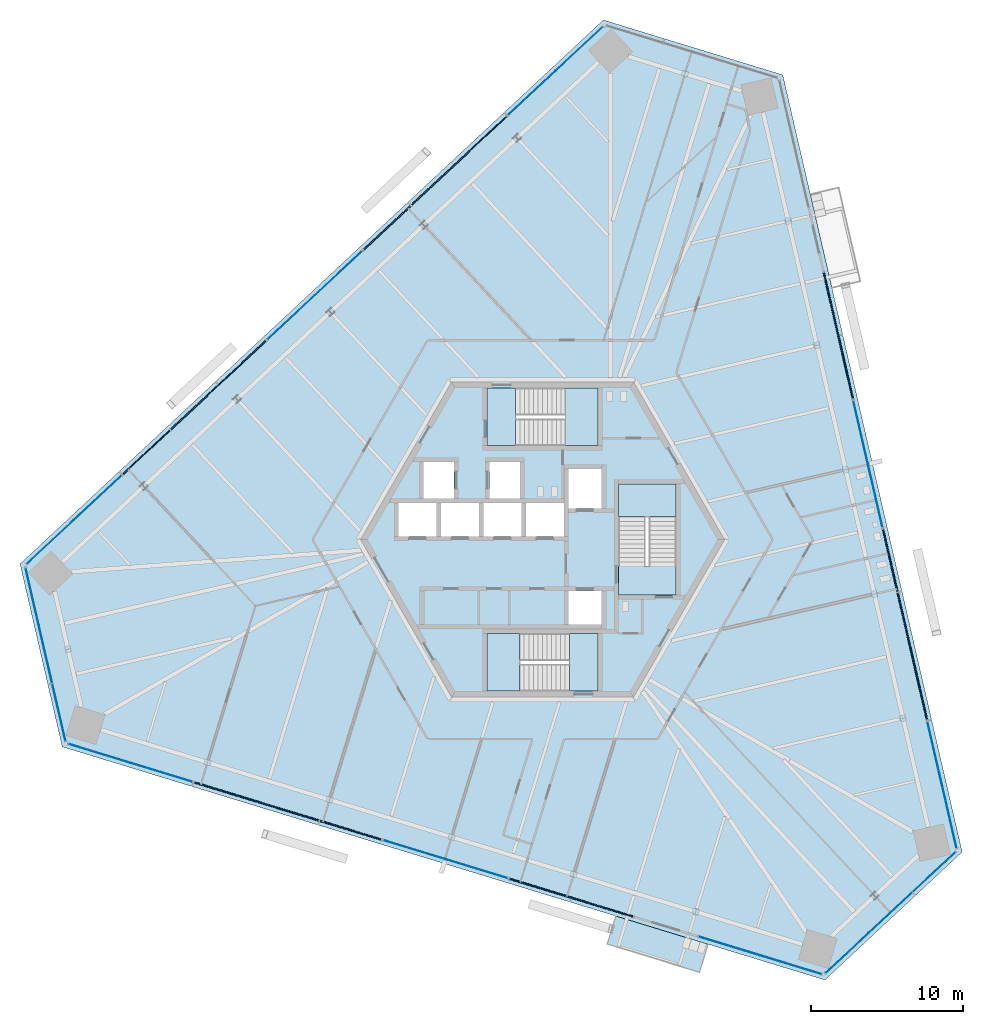
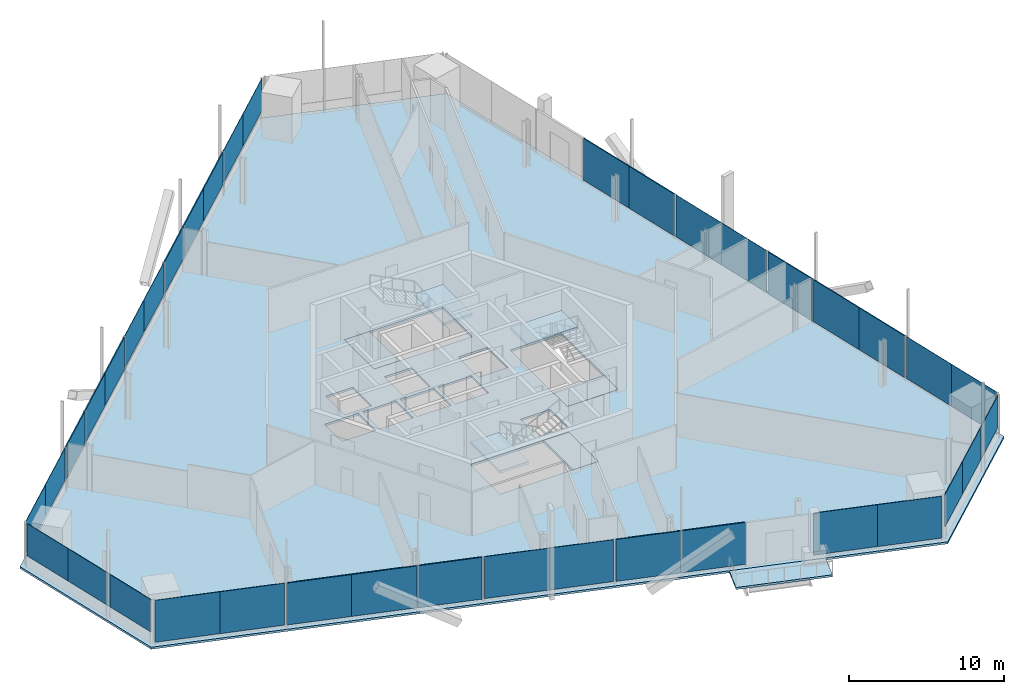
# One storey, part 10 of 21: 38 plates, 8 slabs, 19 elements without a shape of their own.
"""IFC4 building model written with IfcOpenShell, lengths in metres."""

import ifcopenshell
import ifcopenshell.guid

model = None  # the IFC model being written
_history = None  # IfcOwnerHistory: only IFC2X3 demands one
_inside = {}  # id of a spatial element -> (the spatial element, [elements in it])
_under = {}  # id of a project, library or spatial element -> (it, [spatial elements below it])
_declared = {}  # id of a project -> (the project, [libraries it declares])
_typed = {}  # id of a type object -> (the type object, [elements of that type])
_made_of = {}  # id of a material, layer set ... -> (it, [elements and type objects made of it])


def new_model(schema):
    """Start an empty IFC model of exactly this schema.

    Asked for "IFC4X3", IfcOpenShell would pick the latest addendum, in which some entities
    have other attributes; the version numbers below select the first issue.
    IFC2X3 requires an IfcOwnerHistory on every rooted entity: one is made here for all.
    """
    global model, _history
    if schema == "IFC4X3":
        model = ifcopenshell.file(schema_version=(4, 3, 0, 0))
    else:
        model = ifcopenshell.file(schema=schema)
    _inside.clear()
    _under.clear()
    _declared.clear()
    _typed.clear()
    _made_of.clear()
    _history = None
    if model.schema == "IFC2X3":
        org = make("IfcOrganization", Name="unknown")
        user = make(
            "IfcPersonAndOrganization",
            ThePerson=make("IfcPerson", FamilyName="unknown"),
            TheOrganization=org,
        )
        app = make(
            "IfcApplication",
            ApplicationDeveloper=org,
            Version="unknown",
            ApplicationFullName="unknown",
            ApplicationIdentifier="unknown",
        )
        _history = make(
            "IfcOwnerHistory",
            OwningUser=user,
            OwningApplication=app,
            ChangeAction="ADDED",
            CreationDate=0,
        )
    return model


def make(cls, **values):
    """One entity of the class cls with the attributes given. An attribute that is None is left unset."""
    return model.create_entity(
        cls, **{name: value for name, value in values.items() if value is not None}
    )


def rooted(cls, **values):
    """An entity with a GlobalId (a new one), such as an element, a storey or a relation."""
    return make(cls, GlobalId=ifcopenshell.guid.new(), OwnerHistory=_history, **values)


def si_unit(unit_type, name, prefix=None):
    """IfcSIUnit, for example si_unit("LENGTHUNIT", "METRE", prefix="MILLI")."""
    return make("IfcSIUnit", UnitType=unit_type, Prefix=prefix, Name=name)


def assignment(units):
    """IfcUnitAssignment: the units of a project."""
    return None if units is None else make("IfcUnitAssignment", Units=units)


def point(xyz):
    """IfcCartesianPoint."""
    return None if xyz is None else make("IfcCartesianPoint", Coordinates=xyz)


def direction(xyz):
    """IfcDirection."""
    return None if xyz is None else make("IfcDirection", DirectionRatios=xyz)


def frame(location, z_axis=None, x_axis=None):
    """IfcAxis2Placement3D, a coordinate frame: its origin and axes. An axis left out is left unset."""
    return make(
        "IfcAxis2Placement3D",
        Location=point(location),
        Axis=direction(z_axis),
        RefDirection=direction(x_axis),
    )


def frame_2d(location, x_axis=None):
    """IfcAxis2Placement2D, a coordinate frame in the plane: its origin and x axis."""
    return make(
        "IfcAxis2Placement2D", Location=point(location), RefDirection=direction(x_axis)
    )


def origin():
    """The frame at (0, 0, 0) with its axes left unset."""
    return frame((0.0, 0.0, 0.0))


def origin_2d():
    """The frame at (0, 0) in the plane with its x axis left unset."""
    return frame_2d((0.0, 0.0))


def place(relative_to, where):
    """IfcLocalPlacement: puts the frame where relative to a parent placement (None: the world)."""
    return make(
        "IfcLocalPlacement", PlacementRelTo=relative_to, RelativePlacement=where
    )


def context(
    kind, dimensions, precision=None, world=None, true_north=None, identifier=None
):
    """IfcGeometricRepresentationContext, for example the 3D "Model" context."""
    return make(
        "IfcGeometricRepresentationContext",
        ContextIdentifier=identifier,
        ContextType=kind,
        CoordinateSpaceDimension=dimensions,
        Precision=precision,
        WorldCoordinateSystem=world,
        TrueNorth=true_north,
    )


def subcontext(parent, identifier, kind, view, scale=None):
    """IfcGeometricRepresentationSubContext, for example "Body" below "Model"."""
    return make(
        "IfcGeometricRepresentationSubContext",
        ContextIdentifier=identifier,
        ContextType=kind,
        ParentContext=parent,
        TargetScale=scale,
        TargetView=view,
    )


def project(units=None, contexts=None):
    """IfcProject with its units and contexts."""
    return rooted(
        "IfcProject",
        Name="project",
        RepresentationContexts=contexts,
        UnitsInContext=assignment(units),
    )


def spatial(cls, under=None, at=None, **own):
    """A site, building, storey or space (cls), placed at a placement, below another one or the project."""
    s = rooted(cls, ObjectPlacement=at, **own)
    if under is not None:
        _under.setdefault(under.id(), (under, []))[1].append(s)
    return s


def polyline(points):
    """IfcPolyline through the points."""
    return make("IfcPolyline", Points=[point(p) for p in points])


def profile(cls, at=None, kind="AREA", **sizes):
    """A parametric profile (cls). Its sizes go by their IFC names, for example OverallWidth=200.0."""
    return make(cls, ProfileType=kind, Position=at, **sizes)


def rectangle(**sizes):
    """IfcRectangleProfileDef."""
    return profile("IfcRectangleProfileDef", **sizes)


def outline(outer, holes=None, kind="AREA"):
    """IfcArbitraryClosedProfileDef: a profile drawn as a closed curve; with holes, ...WithVoids."""
    if holes is None:
        return make("IfcArbitraryClosedProfileDef", ProfileType=kind, OuterCurve=outer)
    return make(
        "IfcArbitraryProfileDefWithVoids",
        ProfileType=kind,
        OuterCurve=outer,
        InnerCurves=holes,
    )


def extrude(swept, where, along, depth):
    """IfcExtrudedAreaSolid: the profile swept, set in the frame where, extruded along a direction by depth."""
    return make(
        "IfcExtrudedAreaSolid",
        SweptArea=swept,
        Position=where,
        ExtrudedDirection=direction(along),
        Depth=depth,
    )


def shape(context_of_items, identifier, shape_type, items):
    """IfcShapeRepresentation: the items that make up one representation, for example the "Body"."""
    return make(
        "IfcShapeRepresentation",
        ContextOfItems=context_of_items,
        RepresentationIdentifier=identifier,
        RepresentationType=shape_type,
        Items=items,
    )


def source(mapping_origin, context_of_items, identifier, shape_type, items):
    """IfcRepresentationMap: a shape defined once, which mapped items show again and again."""
    return make(
        "IfcRepresentationMap",
        MappingOrigin=mapping_origin,
        MappedRepresentation=shape(context_of_items, identifier, shape_type, items),
    )


def transform(
    local_origin,
    x_axis=None,
    y_axis=None,
    z_axis=None,
    scale=None,
    scale2=None,
    scale3=None,
    uniform=True,
):
    """IfcCartesianTransformationOperator3D, or its non-uniform kind. x_axis, y_axis, z_axis: its Axis1, 2, 3."""
    if uniform:
        return make(
            "IfcCartesianTransformationOperator3D",
            Axis1=direction(x_axis),
            Axis2=direction(y_axis),
            LocalOrigin=point(local_origin),
            Scale=scale,
            Axis3=direction(z_axis),
        )
    return make(
        "IfcCartesianTransformationOperator3DnonUniform",
        Axis1=direction(x_axis),
        Axis2=direction(y_axis),
        LocalOrigin=point(local_origin),
        Scale=scale,
        Axis3=direction(z_axis),
        Scale2=scale2,
        Scale3=scale3,
    )


def mapped(mapping_source, mapping_target):
    """IfcMappedItem: shows the shape of a source again, moved by a transform."""
    return make(
        "IfcMappedItem", MappingSource=mapping_source, MappingTarget=mapping_target
    )


def material(Name=None, Category=None):
    """IfcMaterial."""
    return make("IfcMaterial", Name=Name, Category=Category)


def layer(
    of_material, thickness, ventilated=None, Name=None, Category=None, Priority=None
):
    """IfcMaterialLayer: one layer of a wall or slab, of a material (None: an air gap)."""
    return make(
        "IfcMaterialLayer",
        Material=of_material,
        LayerThickness=thickness,
        IsVentilated=ventilated,
        Name=Name,
        Category=Category,
        Priority=Priority,
    )


def layer_set(layers, Name=None):
    """IfcMaterialLayerSet."""
    return make("IfcMaterialLayerSet", MaterialLayers=layers, LayerSetName=Name)


def made_of(thing, what):
    """Note that an element or type object is made of a material, layer set ...; save() writes the relation."""
    if what is not None:
        _made_of.setdefault(what.id(), (what, []))[1].append(thing)
    return thing


def type_object(cls, material=None, **own):
    """A type object (cls), such as IfcWallType, which elements share."""
    return made_of(rooted(cls, **own), material)


def element(
    cls,
    number,
    at=None,
    inside=None,
    cuts=None,
    type_object=None,
    material=None,
    context=None,
    identifier="Body",
    shape_type=None,
    held_by="IfcProductDefinitionShape",
    body=None,
    shapes=None,
    **own,
):
    """One element of the class cls, such as IfcWall. Its Tag is "e" and its number.

    at: its placement. inside: the storey or other place that contains it. cuts: it is an
    opening in that element (IfcRelVoidsElement). A single representation is given by context,
    identifier, shape_type and body (its items); several are given by shapes. held_by: the class
    of the entity that holds the representations. save() writes the other relations.
    """
    e = rooted(cls, Tag="e%d" % number, ObjectPlacement=at, **own)
    if body is not None:
        shapes = [shape(context, identifier, shape_type, body)]
    if shapes is not None:
        e.Representation = make(held_by, Representations=shapes)
    if inside is not None:
        _inside.setdefault(inside.id(), (inside, []))[1].append(e)
    if cuts is not None:
        rooted(
            "IfcRelVoidsElement", RelatingBuildingElement=cuts, RelatedOpeningElement=e
        )
    if type_object is not None:
        _typed.setdefault(type_object.id(), (type_object, []))[1].append(e)
    return made_of(e, material)


def aggregate(whole, parts):
    """IfcRelAggregates: a whole, such as a stair, and the parts it consists of."""
    return rooted("IfcRelAggregates", RelatingObject=whole, RelatedObjects=parts)


def save(model, path):
    """Write the relations noted so far, then the file.

    IfcRelAggregates (storeys below a building ...), IfcRelContainedInSpatialStructure (elements
    in a storey), IfcRelDefinesByType, IfcRelAssociatesMaterial and IfcRelDeclares: one each for
    every whole, place, type object, material and project.
    """
    for whole, parts in _under.values():
        aggregate(whole, parts)
    for where, things in _inside.values():
        rooted(
            "IfcRelContainedInSpatialStructure",
            RelatedElements=things,
            RelatingStructure=where,
        )
    for kind, things in _typed.values():
        rooted("IfcRelDefinesByType", RelatedObjects=things, RelatingType=kind)
    for what, things in _made_of.values():
        rooted("IfcRelAssociatesMaterial", RelatedObjects=things, RelatingMaterial=what)
    for by, libraries in _declared.values():
        rooted("IfcRelDeclares", RelatingContext=by, RelatedDefinitions=libraries)
    model.write(path)


model = new_model("IFC4")

# Units and contexts
model_context = context("Model", 3, precision=1e-05, world=origin(), true_north=direction((0.0, 1.0)))
body_context = subcontext(model_context, "Body", "Model", "MODEL_VIEW")
ifc_project = project(units=[si_unit("LENGTHUNIT", "METRE"), si_unit("AREAUNIT", "SQUARE_METRE"), si_unit("VOLUMEUNIT", "CUBIC_METRE"), si_unit("PLANEANGLEUNIT", "RADIAN"), si_unit("MASSUNIT", "GRAM", prefix="KILO")], contexts=[model_context])

# Site, building, storey
site_placement = place(None, origin())
site = spatial("IfcSite", under=ifc_project, at=site_placement, CompositionType="ELEMENT")
building_placement = place(site_placement, origin())
building = spatial("IfcBuilding", under=site, at=building_placement, Name="Triune Harvest Tower", CompositionType="ELEMENT")
storey_placement = place(building_placement, frame((0.0, 0.0, 119.89990234375)))
storey = spatial("IfcBuildingStorey", under=building, at=storey_placement, Name="L30", CompositionType="ELEMENT", Elevation=119.89990234375)

# Slab
ifc_material_1 = material(Name="Concrete 40 MPa", Category="concrete")
ifc_layer_1 = layer(ifc_material_1, 0.159912109375)
ifc_layer_set_1 = layer_set([ifc_layer_1], Name="Concrete 40 MPa")
slab_type_1 = type_object("IfcSlabType", Name="BA-1 balcony slab 160", PredefinedType="FLOOR", material=ifc_layer_set_1)
slab_1_placement = place(storey_placement, frame((0.0, 0.0, -0.159912109375)))
element("IfcSlab", 1, at=slab_1_placement, inside=storey, type_object=slab_type_1, Name="Balcony slab B3-F5 L30.10", PredefinedType="FLOOR", context=body_context, shape_type="SweptSolid", body=[
    extrude(outline(polyline([(4.825927734375, -24.819580078125), (10.912841796875, -26.6806640625), (10.348388671875, -28.527587890625), (4.26123046875, -26.66650390625), (4.825927734375, -24.819580078125)])), origin(), (0.0, 0.0, 1.0), 0.159912109375),
])

# Curtain wall, plate
ifc_material_2 = material(Name="Aluminium bronze anodised", Category="aluminium")
curtain_wall_type_1 = type_object("IfcCurtainWallType", Name="CW-10 Balcony window wall with insulated spandrel infill", PredefinedType="NOTDEFINED", material=ifc_material_2)
curtain_wall_1_placement = place(storey_placement, origin())
curtain_wall_1 = element("IfcCurtainWall", 2, at=curtain_wall_1_placement, inside=storey, type_object=curtain_wall_type_1, Name="CW-10 B3-F1 L30 run 1001")
ifc_material_3 = material(Name="Insulated spandrel panel, bronze aluminium pan", Category="aluminium")
ifc_layer_2 = layer(ifc_material_3, 0.080078125)
ifc_layer_set_2 = layer_set([ifc_layer_2], Name="Insulated spandrel panel, bronze aluminium pan")
plate_type_1 = type_object("IfcPlateType", Name="SP-1 insulated spandrel panel 80", PredefinedType="CURTAIN_PANEL", material=ifc_layer_set_2)
plate_1_placement = place(storey_placement, frame((22.9228515625, -1.3828125, 0.150146484375), z_axis=(0.0, 0.0, 1.0), x_axis=(-0.224958154465, 0.974368425566, 0.0)))
plate_1 = element("IfcPlate", 3, at=plate_1_placement, type_object=plate_type_1, Name="CW-10 panel B3-F1 1001.3", PredefinedType="CURTAIN_PANEL", context=body_context, shape_type="SweptSolid", body=[
    extrude(rectangle(XDim=4.230712890625, YDim=0.080078125, at=origin_2d()), origin(), (0.0, 0.0, 1.0), 3.2900390625),
])

curtain_wall_2_placement = place(storey_placement, origin())
curtain_wall_2 = element("IfcCurtainWall", 4, at=curtain_wall_2_placement, inside=storey, type_object=curtain_wall_type_1, Name="CW-10 B3-F5 L30 run 1001")
plate_2_placement = place(storey_placement, frame((-12.658935546875, -19.160400390625, 0.150146484375), z_axis=(0.0, 0.0, 1.0), x_axis=(0.95630580471, -0.292368274405, 0.0)))
plate_2 = element("IfcPlate", 5, at=plate_2_placement, type_object=plate_type_1, Name="CW-10 panel B3-F5 1001.3", PredefinedType="CURTAIN_PANEL", context=body_context, shape_type="SweptSolid", body=[
    extrude(rectangle(XDim=4.23095703125, YDim=0.080078125, at=origin_2d()), origin(), (0.0, 0.0, 1.0), 3.2900390625),
])

# Slab
ifc_material_4 = material(Name="Concrete 40 MPa", Category="concrete")
ifc_layer_3 = layer(ifc_material_4, 0.159912109375)
ifc_layer_set_3 = layer_set([ifc_layer_3], Name="Concrete 40 MPa")
slab_type_2 = type_object("IfcSlabType", Name="SL-1 Composite floor slab 160", PredefinedType="FLOOR", material=ifc_layer_set_3)
shared_shape_1 = source(origin(), body_context, "Body", "SweptSolid", [
    extrude(outline(polyline([(27.666748046875, -20.59765625), (15.83740234375, 30.641357421875), (4.004638671875, 34.2587890625), (-34.454833984375, -1.60498046875), (-31.67138671875, -13.661376953125), (18.617431640625, -29.0361328125), (27.666748046875, -20.59765625)]), holes=[polyline([(-7.0, 0.2099609375), (-7.0, 2.409912109375), (-9.5, 2.409912109375), (-9.5, 0.2099609375), (-7.0, 0.2099609375)]), polyline([(-4.199951171875, 0.2099609375), (-4.199951171875, 2.409912109375), (-6.699951171875, 2.409912109375), (-6.699951171875, 0.2099609375), (-4.199951171875, 0.2099609375)]), polyline([(-1.39990234375, 0.2099609375), (-1.39990234375, 2.409912109375), (-3.89990234375, 2.409912109375), (-3.89990234375, 0.2099609375), (-1.39990234375, 0.2099609375)]), polyline([(1.39990234375, 0.2099609375), (1.39990234375, 2.409912109375), (-1.10009765625, 2.409912109375), (-1.10009765625, 0.2099609375), (1.39990234375, 0.2099609375)]), polyline([(3.89990234375, 2.06005859375), (3.89990234375, 4.659912109375), (1.699951171875, 4.659912109375), (1.699951171875, 2.06005859375), (3.89990234375, 2.06005859375)]), polyline([(3.89990234375, -5.590087890625), (3.89990234375, -3.389892578125), (1.699951171875, -3.389892578125), (1.699951171875, -5.590087890625), (3.89990234375, -5.590087890625)]), polyline([(-5.85009765625, 2.7099609375), (-5.85009765625, 5.110107421875), (-7.85009765625, 5.110107421875), (-7.85009765625, 2.7099609375), (-5.85009765625, 2.7099609375)]), polyline([(-1.5, 2.7099609375), (-1.5, 5.110107421875), (-3.5, 5.110107421875), (-3.5, 2.7099609375), (-1.5, 2.7099609375)]), polyline([(3.64990234375, 6.18994140625), (3.64990234375, 9.989990234375), (-3.64990234375, 9.989990234375), (-3.64990234375, 6.18994140625), (3.64990234375, 6.18994140625)]), polyline([(3.64990234375, -9.989990234375), (3.64990234375, -6.18994140625), (-3.64990234375, -6.18994140625), (-3.64990234375, -9.989990234375), (3.64990234375, -9.989990234375)]), polyline([(8.800048828125, -3.64990234375), (8.800048828125, 3.64990234375), (5.0, 3.64990234375), (5.0, -3.64990234375), (8.800048828125, -3.64990234375)])]), origin(), (0.0, 0.0, 1.0), 0.159912109375),
])
slab_2_placement = place(storey_placement, frame((0.0, 0.0, -0.159912109375)))
element("IfcSlab", 6, at=slab_2_placement, inside=storey, type_object=slab_type_2, Name="slab/L30/1", PredefinedType="FLOOR", context=body_context, shape_type="MappedRepresentation", body=[
    mapped(shared_shape_1, transform((0.0, 0.0, 0.0), scale=1.0)),
])

# Stair, slabs
ifc_material_5 = material(Name="Concrete 40 MPa", Category="concrete")
stair_type = type_object("IfcStairType", Name="Exit stair 1800 half turn", PredefinedType="HALF_TURN_STAIR", material=ifc_material_5)
stair_1_placement = place(storey_placement, origin())
stair_1 = element("IfcStair", 7, at=stair_1_placement, inside=storey, type_object=stair_type, Name="Exit stair north", PredefinedType="HALF_TURN_STAIR")
ifc_material_6 = material(Name="Concrete 40 MPa", Category="concrete")
ifc_layer_4 = layer(ifc_material_6, 0.199951171875)
ifc_layer_set_4 = layer_set([ifc_layer_4], Name="Concrete 40 MPa")
slab_type_3 = type_object("IfcSlabType", Name="Stair landing 200", PredefinedType="LANDING", material=ifc_layer_set_4)
shared_shape_2 = source(origin(), body_context, "Body", "SweptSolid", [
    extrude(outline(polyline([(1.510009765625, 6.18994140625), (3.64990234375, 6.18994140625), (3.64990234375, 9.989990234375), (1.510009765625, 9.989990234375), (1.510009765625, 6.18994140625)])), origin(), (0.0, 0.0, 1.0), 0.199951171875),
])
slab_3_placement = place(storey_placement, frame((0.0, 0.0, 1.60009765625)))
slab_3 = element("IfcSlab", 8, at=slab_3_placement, type_object=slab_type_3, Name="ST-1 landing 2", PredefinedType="LANDING", context=body_context, shape_type="MappedRepresentation", body=[
    mapped(shared_shape_2, transform((0.0, 0.0, 0.0), scale=1.0)),
])
shared_shape_3 = source(origin(), body_context, "Body", "SweptSolid", [
    extrude(outline(polyline([(-3.64990234375, 6.18994140625), (-1.780029296875, 6.18994140625), (-1.780029296875, 9.989990234375), (-3.64990234375, 9.989990234375), (-3.64990234375, 6.18994140625)])), origin(), (0.0, 0.0, 1.0), 0.199951171875),
])
slab_4_placement = place(storey_placement, frame((0.0, 0.0, -0.199951171875)))
slab_4 = element("IfcSlab", 9, at=slab_4_placement, type_object=slab_type_3, Name="ST-1 landing 1", PredefinedType="LANDING", context=body_context, shape_type="MappedRepresentation", body=[
    mapped(shared_shape_3, transform((0.0, 0.0, 0.0), scale=1.0)),
])
aggregate(stair_1, [slab_4, slab_3])

stair_2_placement = place(storey_placement, origin())
stair_2 = element("IfcStair", 10, at=stair_2_placement, inside=storey, type_object=stair_type, Name="Exit stair south", PredefinedType="HALF_TURN_STAIR")
shared_shape_4 = source(origin(), body_context, "Body", "SweptSolid", [
    extrude(outline(polyline([(-1.510009765625, -6.18994140625), (-3.64990234375, -6.18994140625), (-3.64990234375, -9.989990234375), (-1.510009765625, -9.989990234375), (-1.510009765625, -6.18994140625)])), origin(), (0.0, 0.0, 1.0), 0.199951171875),
])
slab_5_placement = place(storey_placement, frame((0.0, 0.0, 1.60009765625)))
slab_5 = element("IfcSlab", 11, at=slab_5_placement, type_object=slab_type_3, Name="ST-2 landing 2", PredefinedType="LANDING", context=body_context, shape_type="MappedRepresentation", body=[
    mapped(shared_shape_4, transform((0.0, 0.0, 0.0), scale=1.0)),
])
shared_shape_5 = source(origin(), body_context, "Body", "SweptSolid", [
    extrude(outline(polyline([(3.64990234375, -6.18994140625), (1.780029296875, -6.18994140625), (1.780029296875, -9.989990234375), (3.64990234375, -9.989990234375), (3.64990234375, -6.18994140625)])), origin(), (0.0, 0.0, 1.0), 0.199951171875),
])
slab_6_placement = place(storey_placement, frame((0.0, 0.0, -0.199951171875)))
slab_6 = element("IfcSlab", 12, at=slab_6_placement, type_object=slab_type_3, Name="ST-2 landing 1", PredefinedType="LANDING", context=body_context, shape_type="MappedRepresentation", body=[
    mapped(shared_shape_5, transform((0.0, 0.0, 0.0), scale=1.0)),
])
aggregate(stair_2, [slab_6, slab_5])

stair_3_placement = place(storey_placement, origin())
stair_3 = element("IfcStair", 13, at=stair_3_placement, inside=storey, type_object=stair_type, Name="Exit stair east", PredefinedType="HALF_TURN_STAIR")
shared_shape_6 = source(origin(), body_context, "Body", "SweptSolid", [
    extrude(outline(polyline([(8.800048828125, 1.510009765625), (8.800048828125, 3.64990234375), (5.0, 3.64990234375), (5.0, 1.510009765625), (8.800048828125, 1.510009765625)])), origin(), (0.0, 0.0, 1.0), 0.199951171875),
])
slab_7_placement = place(storey_placement, frame((0.0, 0.0, 1.60009765625)))
slab_7 = element("IfcSlab", 14, at=slab_7_placement, type_object=slab_type_3, Name="ST-3 landing 2", PredefinedType="LANDING", context=body_context, shape_type="MappedRepresentation", body=[
    mapped(shared_shape_6, transform((0.0, 0.0, 0.0), scale=1.0)),
])
shared_shape_7 = source(origin(), body_context, "Body", "SweptSolid", [
    extrude(outline(polyline([(8.800048828125, -3.64990234375), (8.800048828125, -1.780029296875), (5.0, -1.780029296875), (5.0, -3.64990234375), (8.800048828125, -3.64990234375)])), origin(), (0.0, 0.0, 1.0), 0.199951171875),
])
slab_8_placement = place(storey_placement, frame((0.0, 0.0, -0.199951171875)))
slab_8 = element("IfcSlab", 15, at=slab_8_placement, type_object=slab_type_3, Name="ST-3 landing 1", PredefinedType="LANDING", context=body_context, shape_type="MappedRepresentation", body=[
    mapped(shared_shape_7, transform((0.0, 0.0, 0.0), scale=1.0)),
])
aggregate(stair_3, [slab_8, slab_7])

# Curtain wall, plate
ifc_material_7 = material(Name="Aluminium bronze anodised", Category="aluminium")
curtain_wall_type_2 = type_object("IfcCurtainWallType", Name="CW-1 Tower stick curtain wall", PredefinedType="NOTDEFINED", material=ifc_material_7)
curtain_wall_3_placement = place(storey_placement, origin())
curtain_wall_3 = element("IfcCurtainWall", 16, at=curtain_wall_3_placement, inside=storey, type_object=curtain_wall_type_2, Name="CW-1 B3-F4 L30 run 1")
ifc_material_8 = material(Name="Glass", Category="glass")
ifc_layer_5 = layer(ifc_material_8, 0.031982421875)
ifc_layer_set_5 = layer_set([ifc_layer_5], Name="Glass")
plate_type_2 = type_object("IfcPlateType", Name="GL-1 panel 32", PredefinedType="CURTAIN_PANEL", material=ifc_layer_set_5)
shared_shape_8 = source(origin(), body_context, "Body", "SweptSolid", [
    extrude(rectangle(XDim=3.8740234375, YDim=0.031982421875, at=origin_2d()), origin(), (0.0, 0.0, 1.0), 2.5400390625),
])
plate_3_placement = place(storey_placement, frame((-33.650634765625, -3.75439453125, 0.900146484375), z_axis=(0.0, 0.0, 1.0), x_axis=(0.224946950683, -0.974371012181, 0.0)))
plate_3 = element("IfcPlate", 17, at=plate_3_placement, type_object=plate_type_2, Name="CW-1 panel B3-F4 1.1", PredefinedType="CURTAIN_PANEL", context=body_context, shape_type="MappedRepresentation", body=[
    mapped(shared_shape_8, transform((0.0, 0.0, 0.0), scale=1.0)),
])

curtain_wall_4_placement = place(storey_placement, origin())
curtain_wall_4 = element("IfcCurtainWall", 18, at=curtain_wall_4_placement, inside=storey, type_object=curtain_wall_type_2, Name="CW-1 B3-F6 L30 run 1")
plate_4_placement = place(storey_placement, frame((20.076904296875, -27.26513671875, 0.900146484375), z_axis=(0.0, 0.0, 1.0), x_axis=(0.731349946151, 0.682002387287, 0.0)))
plate_4 = element("IfcPlate", 19, at=plate_4_placement, type_object=plate_type_2, Name="CW-1 panel B3-F6 1.1", PredefinedType="CURTAIN_PANEL", context=body_context, shape_type="MappedRepresentation", body=[
    mapped(shared_shape_8, transform((0.0, 0.0, 0.0), scale=1.0)),
])

# Plate
shared_shape_9 = source(origin(), body_context, "Body", "SweptSolid", [
    extrude(rectangle(XDim=3.911376953125, YDim=0.031982421875, at=origin_2d()), origin(), (0.0, 0.0, 1.0), 2.5400390625),
])
plate_5_placement = place(storey_placement, frame((-32.77490234375, -7.54736328125, 0.900146484375), z_axis=(0.0, 0.0, 1.0), x_axis=(0.224946950683, -0.974371012181, 0.0)))
plate_5 = element("IfcPlate", 20, at=plate_5_placement, type_object=plate_type_2, Name="CW-1 panel B3-F4 1.2", PredefinedType="CURTAIN_PANEL", context=body_context, shape_type="MappedRepresentation", body=[
    mapped(shared_shape_9, transform((0.0, 0.0, 0.0), scale=1.0)),
])

plate_6_placement = place(storey_placement, frame((22.923828125, -24.6103515625, 0.900146484375), z_axis=(0.0, 0.0, 1.0), x_axis=(0.731349946151, 0.682002387287, 0.0)))
plate_6 = element("IfcPlate", 21, at=plate_6_placement, type_object=plate_type_2, Name="CW-1 panel B3-F6 1.2", PredefinedType="CURTAIN_PANEL", context=body_context, shape_type="MappedRepresentation", body=[
    mapped(shared_shape_9, transform((0.0, 0.0, 0.0), scale=1.0)),
])

shared_shape_10 = source(origin(), body_context, "Body", "SweptSolid", [
    extrude(rectangle(XDim=3.83642578125, YDim=0.031982421875, at=origin_2d()), origin(), (0.0, 0.0, 1.0), 2.5400390625),
])
plate_7_placement = place(storey_placement, frame((-31.88671875, -11.395263671875, 0.900146484375), z_axis=(0.0, 0.0, 1.0), x_axis=(0.224946950683, -0.974371012181, 0.0)))
plate_7 = element("IfcPlate", 22, at=plate_7_placement, type_object=plate_type_2, Name="CW-1 panel B3-F4 1.3", PredefinedType="CURTAIN_PANEL", context=body_context, shape_type="MappedRepresentation", body=[
    mapped(shared_shape_10, transform((0.0, 0.0, 0.0), scale=1.0)),
])

aggregate(curtain_wall_3, [plate_3, plate_5, plate_7])

plate_8_placement = place(storey_placement, frame((25.81201171875, -21.9169921875, 0.900146484375), z_axis=(0.0, 0.0, 1.0), x_axis=(0.731349946151, 0.682002387287, 0.0)))
plate_8 = element("IfcPlate", 23, at=plate_8_placement, type_object=plate_type_2, Name="CW-1 panel B3-F6 1.3", PredefinedType="CURTAIN_PANEL", context=body_context, shape_type="MappedRepresentation", body=[
    mapped(shared_shape_10, transform((0.0, 0.0, 0.0), scale=1.0)),
])

aggregate(curtain_wall_4, [plate_4, plate_6, plate_8])

# Curtain wall, plate
ifc_material_9 = material(Name="Aluminium bronze anodised", Category="aluminium")
curtain_wall_type_3 = type_object("IfcCurtainWallType", Name="CW-7 Tower stick curtain wall with insulated spandrel infill", PredefinedType="NOTDEFINED", material=ifc_material_9)
curtain_wall_5_placement = place(storey_placement, origin())
curtain_wall_5 = element("IfcCurtainWall", 24, at=curtain_wall_5_placement, inside=storey, type_object=curtain_wall_type_3, Name="CW-7 B3-F3 L30 run 1001")
shared_shape_11 = source(origin(), body_context, "Body", "SweptSolid", [
    extrude(rectangle(XDim=4.263427734375, YDim=0.080078125, at=origin_2d()), origin(), (0.0, 0.0, 1.0), 2.5400390625),
])
plate_9_placement = place(storey_placement, frame((-3.94287109375, 26.4375, 0.900146484375), z_axis=(0.0, 0.0, 1.0), x_axis=(-0.731355161701, -0.681996794313, 0.0)))
plate_9 = element("IfcPlate", 25, at=plate_9_placement, type_object=plate_type_1, Name="CW-7 panel B3-F3 1001.1", PredefinedType="CURTAIN_PANEL", context=body_context, shape_type="MappedRepresentation", body=[
    mapped(shared_shape_11, transform((0.0, 0.0, 0.0), scale=1.0)),
])

curtain_wall_6_placement = place(storey_placement, origin())
curtain_wall_6 = element("IfcCurtainWall", 26, at=curtain_wall_6_placement, inside=storey, type_object=curtain_wall_type_3, Name="CW-7 B3-F3 L30 run 3001")
plate_10_placement = place(storey_placement, frame((-19.80712890625, 11.643798828125, 0.900146484375), z_axis=(0.0, 0.0, 1.0), x_axis=(-0.731355161701, -0.681996794313, 0.0)))
plate_10 = element("IfcPlate", 27, at=plate_10_placement, type_object=plate_type_1, Name="CW-7 panel B3-F3 3001.1", PredefinedType="CURTAIN_PANEL", context=body_context, shape_type="MappedRepresentation", body=[
    mapped(shared_shape_11, transform((0.0, 0.0, 0.0), scale=1.0)),
])

# Plate
shared_shape_12 = source(origin(), body_context, "Body", "SweptSolid", [
    extrude(rectangle(XDim=4.30078125, YDim=0.080078125, at=origin_2d()), origin(), (0.0, 0.0, 1.0), 2.5400390625),
])
plate_11_placement = place(storey_placement, frame((-7.07470703125, 23.51708984375, 0.900146484375), z_axis=(0.0, 0.0, 1.0), x_axis=(-0.731355161701, -0.681996794313, 0.0)))
plate_11 = element("IfcPlate", 28, at=plate_11_placement, type_object=plate_type_1, Name="CW-7 panel B3-F3 1001.2", PredefinedType="CURTAIN_PANEL", context=body_context, shape_type="MappedRepresentation", body=[
    mapped(shared_shape_12, transform((0.0, 0.0, 0.0), scale=1.0)),
])

plate_12_placement = place(storey_placement, frame((-22.93896484375, 8.723388671875, 0.900146484375), z_axis=(0.0, 0.0, 1.0), x_axis=(-0.731355161701, -0.681996794313, 0.0)))
plate_12 = element("IfcPlate", 29, at=plate_12_placement, type_object=plate_type_1, Name="CW-7 panel B3-F3 3001.2", PredefinedType="CURTAIN_PANEL", context=body_context, shape_type="MappedRepresentation", body=[
    mapped(shared_shape_12, transform((0.0, 0.0, 0.0), scale=1.0)),
])

# Curtain wall, plates
curtain_wall_7_placement = place(storey_placement, origin())
curtain_wall_7 = element("IfcCurtainWall", 30, at=curtain_wall_7_placement, inside=storey, type_object=curtain_wall_type_2, Name="CW-1 B3-F3 L30 run 1")
shared_shape_13 = source(origin(), body_context, "Body", "SweptSolid", [
    extrude(rectangle(XDim=4.263427734375, YDim=0.031982421875, at=origin_2d()), origin(), (0.0, 0.0, 1.0), 2.5400390625),
])
plate_13_placement = place(storey_placement, frame((2.40283203125, 32.35498046875, 0.900146484375), z_axis=(0.0, 0.0, 1.0), x_axis=(-0.731354494176, -0.681997510149, 0.0)))
plate_13 = element("IfcPlate", 31, at=plate_13_placement, type_object=plate_type_2, Name="CW-1 panel B3-F3 1.1", PredefinedType="CURTAIN_PANEL", context=body_context, shape_type="MappedRepresentation", body=[
    mapped(shared_shape_13, transform((0.0, 0.0, 0.0), scale=1.0)),
])
plate_14_placement = place(storey_placement, frame((-0.715087890625, 29.447509765625, 0.900146484375), z_axis=(0.0, 0.0, 1.0), x_axis=(-0.731354494176, -0.681997510149, 0.0)))
plate_14 = element("IfcPlate", 32, at=plate_14_placement, type_object=plate_type_2, Name="CW-1 panel B3-F3 1.2", PredefinedType="CURTAIN_PANEL", context=body_context, shape_type="MappedRepresentation", body=[
    mapped(shared_shape_13, transform((0.0, 0.0, 0.0), scale=1.0)),
])
aggregate(curtain_wall_7, [plate_13, plate_14])

curtain_wall_8_placement = place(storey_placement, origin())
curtain_wall_8 = element("IfcCurtainWall", 33, at=curtain_wall_8_placement, inside=storey, type_object=curtain_wall_type_2, Name="CW-1 B3-F3 L30 run 2001")
plate_15_placement = place(storey_placement, frame((-13.46142578125, 17.561279296875, 0.900146484375), z_axis=(0.0, 0.0, 1.0), x_axis=(-0.731345710138, -0.682006929777, 0.0)))
plate_15 = element("IfcPlate", 34, at=plate_15_placement, type_object=plate_type_2, Name="CW-1 panel B3-F3 2001.1", PredefinedType="CURTAIN_PANEL", context=body_context, shape_type="MappedRepresentation", body=[
    mapped(shared_shape_13, transform((0.0, 0.0, 0.0), scale=1.0)),
])
plate_16_placement = place(storey_placement, frame((-16.579345703125, 14.653564453125, 0.900146484375), z_axis=(0.0, 0.0, 1.0), x_axis=(-0.731345710138, -0.682006929777, 0.0)))
plate_16 = element("IfcPlate", 35, at=plate_16_placement, type_object=plate_type_2, Name="CW-1 panel B3-F3 2001.2", PredefinedType="CURTAIN_PANEL", context=body_context, shape_type="MappedRepresentation", body=[
    mapped(shared_shape_13, transform((0.0, 0.0, 0.0), scale=1.0)),
])
aggregate(curtain_wall_8, [plate_15, plate_16])

curtain_wall_9_placement = place(storey_placement, origin())
curtain_wall_9 = element("IfcCurtainWall", 36, at=curtain_wall_9_placement, inside=storey, type_object=curtain_wall_type_2, Name="CW-1 B3-F3 L30 run 4001")
plate_17_placement = place(storey_placement, frame((-29.32568359375, 2.767578125, 0.900146484375), z_axis=(0.0, 0.0, 1.0), x_axis=(-0.731354494176, -0.681997510149, 0.0)))
plate_17 = element("IfcPlate", 37, at=plate_17_placement, type_object=plate_type_2, Name="CW-1 panel B3-F3 4001.1", PredefinedType="CURTAIN_PANEL", context=body_context, shape_type="MappedRepresentation", body=[
    mapped(shared_shape_13, transform((0.0, 0.0, 0.0), scale=1.0)),
])
plate_18_placement = place(storey_placement, frame((-32.44384765625, -0.14013671875, 0.900146484375), z_axis=(0.0, 0.0, 1.0), x_axis=(-0.731354494176, -0.681997510149, 0.0)))
plate_18 = element("IfcPlate", 38, at=plate_18_placement, type_object=plate_type_2, Name="CW-1 panel B3-F3 4001.2", PredefinedType="CURTAIN_PANEL", context=body_context, shape_type="MappedRepresentation", body=[
    mapped(shared_shape_13, transform((0.0, 0.0, 0.0), scale=1.0)),
])
aggregate(curtain_wall_9, [plate_17, plate_18])

ifc_material_10 = material(Name="Aluminium bronze anodised", Category="aluminium")
curtain_wall_type_4 = type_object("IfcCurtainWallType", Name="CW-6 Balcony window wall", PredefinedType="NOTDEFINED", material=ifc_material_10)
curtain_wall_10_placement = place(storey_placement, origin())
curtain_wall_10 = element("IfcCurtainWall", 39, at=curtain_wall_10_placement, inside=storey, type_object=curtain_wall_type_4, Name="CW-6 B3-F1 L30 run 1")
ifc_material_11 = material(Name="Glass", Category="glass")
ifc_layer_6 = layer(ifc_material_11, 0.030029296875)
ifc_layer_set_6 = layer_set([ifc_layer_6], Name="Glass")
plate_type_3 = type_object("IfcPlateType", Name="GL-6 panel 30", PredefinedType="CURTAIN_PANEL", material=ifc_layer_set_6)
shared_shape_14 = source(origin(), body_context, "Body", "SweptSolid", [
    extrude(rectangle(XDim=4.268310546875, YDim=0.030029296875, at=origin_2d()), origin(), (0.0, 0.0, 1.0), 3.2900390625),
])
plate_19_placement = place(storey_placement, frame((26.818359375, -18.256103515625, 0.150146484375), z_axis=(0.0, 0.0, 1.0), x_axis=(-0.224946834294, 0.974371039051, 0.0)))
plate_19 = element("IfcPlate", 40, at=plate_19_placement, type_object=plate_type_3, Name="CW-6 panel B3-F1 1.1", PredefinedType="CURTAIN_PANEL", context=body_context, shape_type="MappedRepresentation", body=[
    mapped(shared_shape_14, transform((0.0, 0.0, 0.0), scale=1.0)),
])
plate_20_placement = place(storey_placement, frame((25.858154296875, -14.09716796875, 0.150146484375), z_axis=(0.0, 0.0, 1.0), x_axis=(-0.224946834294, 0.974371039051, 0.0)))
plate_20 = element("IfcPlate", 41, at=plate_20_placement, type_object=plate_type_3, Name="CW-6 panel B3-F1 1.2", PredefinedType="CURTAIN_PANEL", context=body_context, shape_type="MappedRepresentation", body=[
    mapped(shared_shape_14, transform((0.0, 0.0, 0.0), scale=1.0)),
])
aggregate(curtain_wall_10, [plate_19, plate_20])

curtain_wall_11_placement = place(storey_placement, origin())
curtain_wall_11 = element("IfcCurtainWall", 42, at=curtain_wall_11_placement, inside=storey, type_object=curtain_wall_type_4, Name="CW-6 B3-F1 L30 run 2001")
plate_21_placement = place(storey_placement, frame((21.93310546875, 2.904052734375, 0.150146484375), z_axis=(0.0, 0.0, 1.0), x_axis=(-0.224941058787, 0.974372372387, 0.0)))
plate_21 = element("IfcPlate", 43, at=plate_21_placement, type_object=plate_type_3, Name="CW-6 panel B3-F1 2001.1", PredefinedType="CURTAIN_PANEL", context=body_context, shape_type="MappedRepresentation", body=[
    mapped(shared_shape_14, transform((0.0, 0.0, 0.0), scale=1.0)),
])
plate_22_placement = place(storey_placement, frame((20.972900390625, 7.06298828125, 0.150146484375), z_axis=(0.0, 0.0, 1.0), x_axis=(-0.224941058787, 0.974372372387, 0.0)))
plate_22 = element("IfcPlate", 44, at=plate_22_placement, type_object=plate_type_3, Name="CW-6 panel B3-F1 2001.2", PredefinedType="CURTAIN_PANEL", context=body_context, shape_type="MappedRepresentation", body=[
    mapped(shared_shape_14, transform((0.0, 0.0, 0.0), scale=1.0)),
])
aggregate(curtain_wall_11, [plate_21, plate_22])

curtain_wall_12_placement = place(storey_placement, origin())
curtain_wall_12 = element("IfcCurtainWall", 45, at=curtain_wall_12_placement, inside=storey, type_object=curtain_wall_type_4, Name="CW-6 B3-F5 L30 run 1")
plate_23_placement = place(storey_placement, frame((-29.219482421875, -14.09716796875, 0.150146484375), z_axis=(0.0, 0.0, 1.0), x_axis=(0.956303433887, -0.292376029004, 0.0)))
plate_23 = element("IfcPlate", 46, at=plate_23_placement, type_object=plate_type_3, Name="CW-6 panel B3-F5 1.1", PredefinedType="CURTAIN_PANEL", context=body_context, shape_type="MappedRepresentation", body=[
    mapped(shared_shape_14, transform((0.0, 0.0, 0.0), scale=1.0)),
])
plate_24_placement = place(storey_placement, frame((-25.137451171875, -15.34521484375, 0.150146484375), z_axis=(0.0, 0.0, 1.0), x_axis=(0.956303433887, -0.292376029004, 0.0)))
plate_24 = element("IfcPlate", 47, at=plate_24_placement, type_object=plate_type_3, Name="CW-6 panel B3-F5 1.2", PredefinedType="CURTAIN_PANEL", context=body_context, shape_type="MappedRepresentation", body=[
    mapped(shared_shape_14, transform((0.0, 0.0, 0.0), scale=1.0)),
])
aggregate(curtain_wall_12, [plate_23, plate_24])

curtain_wall_13_placement = place(storey_placement, origin())
curtain_wall_13 = element("IfcCurtainWall", 48, at=curtain_wall_13_placement, inside=storey, type_object=curtain_wall_type_4, Name="CW-6 B3-F5 L30 run 2001")
plate_25_placement = place(storey_placement, frame((-8.451416015625, -20.446533203125, 0.150146484375), z_axis=(0.0, 0.0, 1.0), x_axis=(0.956302674869, -0.292378511586, 0.0)))
plate_25 = element("IfcPlate", 49, at=plate_25_placement, type_object=plate_type_3, Name="CW-6 panel B3-F5 2001.1", PredefinedType="CURTAIN_PANEL", context=body_context, shape_type="MappedRepresentation", body=[
    mapped(shared_shape_14, transform((0.0, 0.0, 0.0), scale=1.0)),
])
plate_26_placement = place(storey_placement, frame((-4.36962890625, -21.694580078125, 0.150146484375), z_axis=(0.0, 0.0, 1.0), x_axis=(0.956302674869, -0.292378511586, 0.0)))
plate_26 = element("IfcPlate", 50, at=plate_26_placement, type_object=plate_type_3, Name="CW-6 panel B3-F5 2001.2", PredefinedType="CURTAIN_PANEL", context=body_context, shape_type="MappedRepresentation", body=[
    mapped(shared_shape_14, transform((0.0, 0.0, 0.0), scale=1.0)),
])
aggregate(curtain_wall_13, [plate_25, plate_26])

# Plate
shared_shape_15 = source(origin(), body_context, "Body", "SweptSolid", [
    extrude(rectangle(XDim=4.268310546875, YDim=0.080078125, at=origin_2d()), origin(), (0.0, 0.0, 1.0), 3.2900390625),
])
plate_27_placement = place(storey_placement, frame((24.8642578125, -9.7919921875, 0.150146484375), z_axis=(0.0, 0.0, 1.0), x_axis=(-0.224958154465, 0.974368425566, 0.0)))
plate_27 = element("IfcPlate", 51, at=plate_27_placement, type_object=plate_type_1, Name="CW-10 panel B3-F1 1001.1", PredefinedType="CURTAIN_PANEL", context=body_context, shape_type="MappedRepresentation", body=[
    mapped(shared_shape_15, transform((0.0, 0.0, 0.0), scale=1.0)),
])

# Curtain wall, plates
curtain_wall_14_placement = place(storey_placement, origin())
curtain_wall_14 = element("IfcCurtainWall", 52, at=curtain_wall_14_placement, inside=storey, type_object=curtain_wall_type_1, Name="CW-10 B3-F1 L30 run 3001")
plate_28_placement = place(storey_placement, frame((19.97900390625, 11.3681640625, 0.150146484375), z_axis=(0.0, 0.0, 1.0), x_axis=(-0.224955351205, 0.974369072767, 0.0)))
plate_28 = element("IfcPlate", 53, at=plate_28_placement, type_object=plate_type_1, Name="CW-10 panel B3-F1 3001.1", PredefinedType="CURTAIN_PANEL", context=body_context, shape_type="MappedRepresentation", body=[
    mapped(shared_shape_15, transform((0.0, 0.0, 0.0), scale=1.0)),
])
plate_29_placement = place(storey_placement, frame((19.018798828125, 15.527099609375, 0.150146484375), z_axis=(0.0, 0.0, 1.0), x_axis=(-0.224955351205, 0.974369072767, 0.0)))
plate_29 = element("IfcPlate", 54, at=plate_29_placement, type_object=plate_type_1, Name="CW-10 panel B3-F1 3001.2", PredefinedType="CURTAIN_PANEL", context=body_context, shape_type="MappedRepresentation", body=[
    mapped(shared_shape_15, transform((0.0, 0.0, 0.0), scale=1.0)),
])
aggregate(curtain_wall_14, [plate_28, plate_29])

# Plate
plate_30_placement = place(storey_placement, frame((-20.912353515625, -16.636962890625, 0.150146484375), z_axis=(0.0, 0.0, 1.0), x_axis=(0.95630580471, -0.292368274405, 0.0)))
plate_30 = element("IfcPlate", 55, at=plate_30_placement, type_object=plate_type_1, Name="CW-10 panel B3-F5 1001.1", PredefinedType="CURTAIN_PANEL", context=body_context, shape_type="MappedRepresentation", body=[
    mapped(shared_shape_15, transform((0.0, 0.0, 0.0), scale=1.0)),
])

# Curtain wall, plates
curtain_wall_15_placement = place(storey_placement, origin())
curtain_wall_15 = element("IfcCurtainWall", 56, at=curtain_wall_15_placement, inside=storey, type_object=curtain_wall_type_1, Name="CW-10 B3-F5 L30 run 3001")
plate_31_placement = place(storey_placement, frame((-0.144287109375, -22.986328125, 0.150146484375), z_axis=(0.0, 0.0, 1.0), x_axis=(0.956304217601, -0.292373465621, 0.0)))
plate_31 = element("IfcPlate", 57, at=plate_31_placement, type_object=plate_type_1, Name="CW-10 panel B3-F5 3001.1", PredefinedType="CURTAIN_PANEL", context=body_context, shape_type="MappedRepresentation", body=[
    mapped(shared_shape_15, transform((0.0, 0.0, 0.0), scale=1.0)),
])
plate_32_placement = place(storey_placement, frame((3.9375, -24.234375, 0.150146484375), z_axis=(0.0, 0.0, 1.0), x_axis=(0.956304217601, -0.292373465621, 0.0)))
plate_32 = element("IfcPlate", 58, at=plate_32_placement, type_object=plate_type_1, Name="CW-10 panel B3-F5 3001.2", PredefinedType="CURTAIN_PANEL", context=body_context, shape_type="MappedRepresentation", body=[
    mapped(shared_shape_15, transform((0.0, 0.0, 0.0), scale=1.0)),
])
aggregate(curtain_wall_15, [plate_31, plate_32])

# Plate
shared_shape_16 = source(origin(), body_context, "Body", "SweptSolid", [
    extrude(rectangle(XDim=4.305908203125, YDim=0.080078125, at=origin_2d()), origin(), (0.0, 0.0, 1.0), 3.2900390625),
])
plate_33_placement = place(storey_placement, frame((23.89990234375, -5.61474609375, 0.150146484375), z_axis=(0.0, 0.0, 1.0), x_axis=(-0.224958154465, 0.974368425566, 0.0)))
plate_33 = element("IfcPlate", 59, at=plate_33_placement, type_object=plate_type_1, Name="CW-10 panel B3-F1 1001.2", PredefinedType="CURTAIN_PANEL", context=body_context, shape_type="MappedRepresentation", body=[
    mapped(shared_shape_16, transform((0.0, 0.0, 0.0), scale=1.0)),
])

aggregate(curtain_wall_1, [plate_27, plate_33, plate_1])

plate_34_placement = place(storey_placement, frame((-16.8125, -17.890380859375, 0.150146484375), z_axis=(0.0, 0.0, 1.0), x_axis=(0.95630580471, -0.292368274405, 0.0)))
plate_34 = element("IfcPlate", 60, at=plate_34_placement, type_object=plate_type_1, Name="CW-10 panel B3-F5 1001.2", PredefinedType="CURTAIN_PANEL", context=body_context, shape_type="MappedRepresentation", body=[
    mapped(shared_shape_16, transform((0.0, 0.0, 0.0), scale=1.0)),
])

aggregate(curtain_wall_2, [plate_30, plate_34, plate_2])

# Curtain wall, plates
curtain_wall_16_placement = place(storey_placement, origin())
curtain_wall_16 = element("IfcCurtainWall", 61, at=curtain_wall_16_placement, inside=storey, type_object=curtain_wall_type_4, Name="CW-6 B3-F5 L30 run 2")
shared_shape_17 = source(origin(), body_context, "Body", "SweptSolid", [
    extrude(rectangle(XDim=4.2333984375, YDim=0.030029296875, at=origin_2d()), origin(), (0.0, 0.0, 1.0), 3.2900390625),
])
plate_35_placement = place(storey_placement, frame((12.309326171875, -26.7939453125, 0.150146484375), z_axis=(0.0, 0.0, 1.0), x_axis=(0.956304229664, -0.292373426164, 0.0)))
plate_35 = element("IfcPlate", 62, at=plate_35_placement, type_object=plate_type_3, Name="CW-6 panel B3-F5 2.1", PredefinedType="CURTAIN_PANEL", context=body_context, shape_type="MappedRepresentation", body=[
    mapped(shared_shape_17, transform((0.0, 0.0, 0.0), scale=1.0)),
])
plate_36_placement = place(storey_placement, frame((16.357666015625, -28.031494140625, 0.150146484375), z_axis=(0.0, 0.0, 1.0), x_axis=(0.956304229664, -0.292373426164, 0.0)))
plate_36 = element("IfcPlate", 63, at=plate_36_placement, type_object=plate_type_3, Name="CW-6 panel B3-F5 2.2", PredefinedType="CURTAIN_PANEL", context=body_context, shape_type="MappedRepresentation", body=[
    mapped(shared_shape_17, transform((0.0, 0.0, 0.0), scale=1.0)),
])
aggregate(curtain_wall_16, [plate_35, plate_36])

# Plate
shared_shape_18 = source(origin(), body_context, "Body", "SweptSolid", [
    extrude(rectangle(XDim=4.225830078125, YDim=0.080078125, at=origin_2d()), origin(), (0.0, 0.0, 1.0), 2.5400390625),
])
plate_37_placement = place(storey_placement, frame((-10.24755859375, 20.558349609375, 0.900146484375), z_axis=(0.0, 0.0, 1.0), x_axis=(-0.731355161701, -0.681996794313, 0.0)))
plate_37 = element("IfcPlate", 64, at=plate_37_placement, type_object=plate_type_1, Name="CW-7 panel B3-F3 1001.3", PredefinedType="CURTAIN_PANEL", context=body_context, shape_type="MappedRepresentation", body=[
    mapped(shared_shape_18, transform((0.0, 0.0, 0.0), scale=1.0)),
])

aggregate(curtain_wall_5, [plate_9, plate_11, plate_37])

plate_38_placement = place(storey_placement, frame((-26.11181640625, 5.7646484375, 0.900146484375), z_axis=(0.0, 0.0, 1.0), x_axis=(-0.731355161701, -0.681996794313, 0.0)))
plate_38 = element("IfcPlate", 65, at=plate_38_placement, type_object=plate_type_1, Name="CW-7 panel B3-F3 3001.3", PredefinedType="CURTAIN_PANEL", context=body_context, shape_type="MappedRepresentation", body=[
    mapped(shared_shape_18, transform((0.0, 0.0, 0.0), scale=1.0)),
])

aggregate(curtain_wall_6, [plate_10, plate_12, plate_38])

save(model, "model.ifc")
